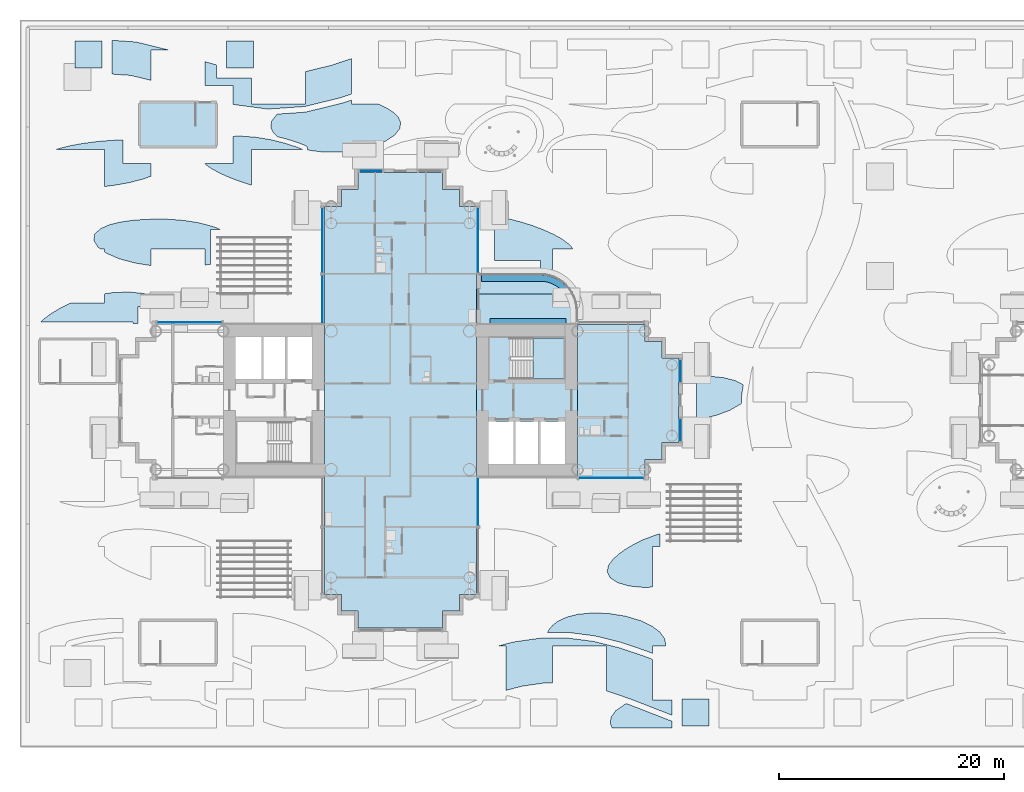
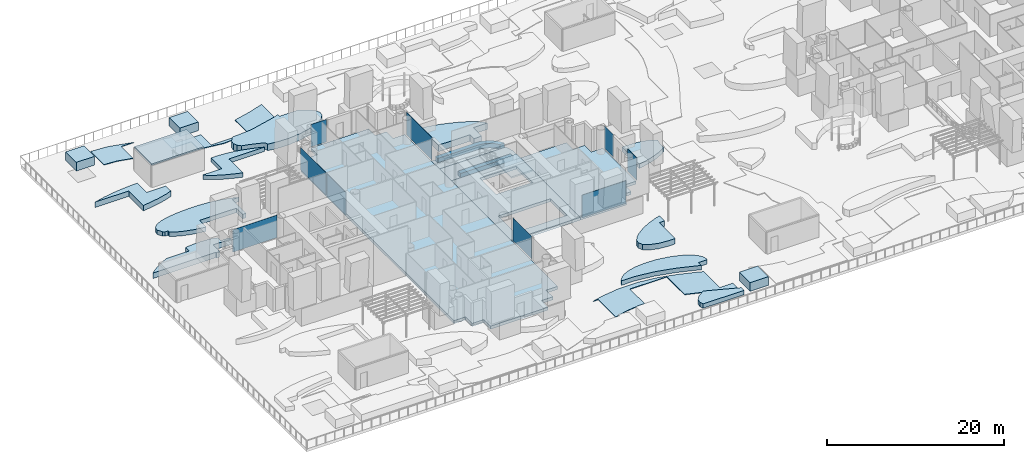
# One storey, part 18 of 40: 25 slabs, 9 plates, 10 elements without a shape of their own.
"""IFC4 building model written with IfcOpenShell, lengths in metres."""

from ifc_helpers import new_model, si_unit, direction, frame, origin, origin_2d, place, context, subcontext, project, spatial, polyline, rectangle, outline, extrude, material, layer, layer_set, type_object, element, aggregate, save


model = new_model("IFC4")

# Units and contexts
model_context = context("Model", 3, precision=1e-05, world=origin(), true_north=direction((0.0, 1.0)))
body_context = subcontext(model_context, "Body", "Model", "MODEL_VIEW")
ifc_project = project(units=[si_unit("LENGTHUNIT", "METRE"), si_unit("AREAUNIT", "SQUARE_METRE"), si_unit("VOLUMEUNIT", "CUBIC_METRE"), si_unit("PLANEANGLEUNIT", "RADIAN"), si_unit("MASSUNIT", "GRAM", prefix="KILO")], contexts=[model_context])

# Site, building, storey
site_placement = place(None, origin())
site = spatial("IfcSite", under=ifc_project, at=site_placement, CompositionType="ELEMENT")
building_placement = place(site_placement, origin())
building = spatial("IfcBuilding", under=site, at=building_placement, Name="Ipe Terrace Towers", CompositionType="ELEMENT")
storey_placement = place(building_placement, frame((0.0, 0.0, 24.5)))
storey = spatial("IfcBuildingStorey", under=building, at=storey_placement, Name="L05", CompositionType="ELEMENT", Elevation=24.5)

# Slabs
ifc_material_1 = material(Name="Concrete C30/37", Category="concrete")
ifc_layer_1 = layer(ifc_material_1, 0.199951171875)
ifc_layer_set_1 = layer_set([ifc_layer_1], Name="BALCONY SLAB 200")
slab_type_1 = type_object("IfcSlabType", Name="BALCONY SLAB 200", PredefinedType="FLOOR", material=ifc_layer_set_1)
slab_1_placement = place(storey_placement, frame((0.0, 0.0, -0.219970703125)))
element("IfcSlab", 1, at=slab_1_placement, inside=storey, type_object=slab_type_1, Name="balcony slab", PredefinedType="FLOOR", context=body_context, shape_type="SweptSolid", body=[
    extrude(outline(polyline([(-20.5009765625, 9.212890625), (-20.617919921875, 9.449951171875), (-29.25, 9.449951171875), (-29.25, 6.75), (-20.25, 6.75), (-20.25, 7.949951171875), (-20.278076171875, 8.381103515625), (-20.362060546875, 8.803955078125), (-20.5009765625, 9.212890625)])), origin(), (0.0, 0.0, 1.0), 0.199951171875),
])
slab_2_placement = place(storey_placement, frame((0.0, 0.0, -0.219970703125)))
element("IfcSlab", 2, at=slab_2_placement, inside=storey, type_object=slab_type_1, Name="balcony slab", PredefinedType="FLOOR", context=body_context, shape_type="SweptSolid", body=[
    extrude(outline(polyline([(-29.25, 11.25), (-29.25, 9.449951171875), (-20.617919921875, 9.449951171875), (-20.69189453125, 9.60009765625), (-20.931884765625, 9.958984375), (-21.217041015625, 10.282958984375), (-21.541015625, 10.568115234375), (-21.89990234375, 10.80810546875), (-22.287109375, 10.9990234375), (-22.696044921875, 11.137939453125), (-23.118896484375, 11.221923828125), (-23.550048828125, 11.25), (-29.25, 11.25)])), origin(), (0.0, 0.0, 1.0), 0.199951171875),
])
ifc_material_2 = material(Name="Concrete C30/37", Category="concrete")
ifc_layer_2 = layer(ifc_material_2, 0.39990234375)
ifc_layer_set_2 = layer_set([ifc_layer_2], Name="CORE FLOOR SLAB 400 C30-37")
slab_type_2 = type_object("IfcSlabType", Name="CORE FLOOR SLAB 400 C30-37", PredefinedType="FLOOR", material=ifc_layer_set_2)
slab_3_placement = place(storey_placement, frame((0.0, 0.0, -0.39990234375)))
element("IfcSlab", 3, at=slab_3_placement, inside=storey, type_object=slab_type_2, Name="Core floor T1-C1", PredefinedType="FLOOR", context=body_context, shape_type="SweptSolid", body=[
    extrude(outline(polyline([(-29.25, -6.75), (-29.25, 6.75), (-20.25, 6.75), (-20.25, -6.75), (-29.25, -6.75)]), holes=[polyline([(-28.14990234375, -5.64990234375), (-21.35009765625, -5.64990234375), (-21.35009765625, -1.89990234375), (-28.14990234375, -1.89990234375), (-28.14990234375, -5.64990234375)]), polyline([(-26.199951171875, 5.550048828125), (-26.199951171875, 1.89990234375), (-21.449951171875, 1.89990234375), (-21.449951171875, 5.550048828125), (-26.199951171875, 5.550048828125)])]), origin(), (0.0, 0.0, 1.0), 0.39990234375),
])
ifc_material_3 = material(Name="Concrete C30/37", Category="concrete")
ifc_layer_3 = layer(ifc_material_3, 0.60009765625)
ifc_layer_set_3 = layer_set([ifc_layer_3], Name="CURVED GARDEN BED 600")
slab_type_3 = type_object("IfcSlabType", Name="CURVED GARDEN BED 600", PredefinedType="USERDEFINED", material=ifc_layer_set_3)
slab_4_placement = place(storey_placement, frame((0.0, 0.0, -0.02001953125)))
element("IfcSlab", 4, at=slab_4_placement, inside=storey, type_object=slab_type_3, Name="curved garden bed", ObjectType="PLANTER", PredefinedType="USERDEFINED", context=body_context, shape_type="SweptSolid", body=[
    extrude(outline(polyline([(-16.85302734375, -27.60009765625), (-16.06201171875, -27.04296875), (-15.887939453125, -26.968017578125), (-15.803955078125, -26.99609375), (-13.739013671875, -27.797119140625), (-12.031982421875, -28.4619140625), (-11.986083984375, -28.47802734375), (-11.93798828125, -28.489013671875), (-11.889892578125, -28.4951171875), (-11.85009765625, -28.49609375), (-11.85009765625, -29.14990234375), (-17.169921875, -29.14990234375), (-17.337890625, -28.695068359375), (-17.262939453125, -28.1669921875), (-16.85302734375, -27.60009765625)])), origin(), (0.0, 0.0, 1.0), 0.60009765625),
])
slab_5_placement = place(storey_placement, frame((0.0, 0.0, -0.02001953125)))
element("IfcSlab", 5, at=slab_5_placement, inside=storey, type_object=slab_type_3, Name="curved garden bed", ObjectType="PLANTER", PredefinedType="USERDEFINED", context=body_context, shape_type="SweptSolid", body=[
    extrude(outline(polyline([(-22.47802734375, -20.012939453125), (-21.968017578125, -19.6220703125), (-21.217041015625, -19.27587890625), (-20.18701171875, -19.01904296875), (-18.89501953125, -18.89892578125), (-17.43701171875, -18.9541015625), (-15.9619140625, -19.193115234375), (-14.635009765625, -19.589111328125), (-13.5869140625, -20.093017578125), (-12.883056640625, -20.64208984375), (-12.510986328125, -21.18310546875), (-12.403076171875, -21.68701171875), (-12.427978515625, -21.8359375), (-13.570068359375, -21.8359375), (-13.570068359375, -22.5), (-14.0458984375, -22.31494140625), (-14.055908203125, -22.31103515625), (-14.136962890625, -22.281982421875), (-14.14794921875, -22.278076171875), (-16.263916015625, -21.56103515625), (-16.283935546875, -21.554931640625), (-16.443115234375, -21.508056640625), (-16.462890625, -21.5029296875), (-18.580078125, -20.97607421875), (-18.60791015625, -20.969970703125), (-18.8359375, -20.927001953125), (-18.864013671875, -20.922119140625), (-20.98095703125, -20.64990234375), (-21.013916015625, -20.64697265625), (-21.283935546875, -20.631103515625), (-21.318115234375, -20.6298828125), (-22.91796875, -20.64111328125), (-22.81298828125, -20.424072265625), (-22.47802734375, -20.012939453125)])), origin(), (0.0, 0.0, 1.0), 0.60009765625),
])
slab_6_placement = place(storey_placement, frame((0.0, 0.0, -0.02001953125)))
element("IfcSlab", 6, at=slab_6_placement, inside=storey, type_object=slab_type_3, Name="curved garden bed", ObjectType="PLANTER", PredefinedType="USERDEFINED", context=body_context, shape_type="SweptSolid", body=[
    extrude(outline(polyline([(-7.22705078125, 2.013916015625), (-6.18994140625, 1.7490234375), (-5.498046875, 1.3759765625), (-5.6259765625, 0.616943359375), (-5.62890625, 0.595947265625), (-5.64697265625, 0.455078125), (-5.65087890625, 0.4130859375), (-5.656005859375, 0.27099609375), (-5.656982421875, 0.25), (-5.656982421875, -0.23193359375), (-5.781982421875, -0.361083984375), (-6.708984375, -0.888916015625), (-7.85498046875, -1.31591796875), (-9.0849609375, -1.635009765625), (-9.64990234375, -1.738037109375), (-9.64990234375, 2.1650390625), (-9.623046875, 2.166015625), (-8.407958984375, 2.14306640625), (-7.22705078125, 2.013916015625)])), origin(), (0.0, 0.0, 1.0), 0.60009765625),
])
slab_7_placement = place(storey_placement, frame((0.0, 0.0, -0.02001953125)))
element("IfcSlab", 7, at=slab_7_placement, inside=storey, type_object=slab_type_3, Name="curved garden bed", ObjectType="PLANTER", PredefinedType="USERDEFINED", context=body_context, shape_type="SweptSolid", body=[
    extrude(outline(polyline([(-63.175048828125, 14.7890625), (-62.676025390625, 15.260009765625), (-61.881103515625, 15.614013671875), (-60.9150390625, 15.85400390625), (-59.8740234375, 16.00390625), (-58.802001953125, 16.089111328125), (-57.68603515625, 16.125), (-56.491943359375, 16.10302734375), (-55.201904296875, 15.9970703125), (-53.85205078125, 15.777099609375), (-52.5400390625, 15.423095703125), (-52.01611328125, 15.199951171875), (-52.89990234375, 15.199951171875), (-52.89990234375, 12.10107421875), (-53.3701171875, 12.032958984375), (-53.3701171875, 13.47900390625), (-58.169921875, 13.47900390625), (-58.169921875, 11.991943359375), (-58.298095703125, 12.0029296875), (-59.64794921875, 12.222900390625), (-60.9599609375, 12.576904296875), (-62.092041015625, 13.05810546875), (-62.2900390625, 13.198974609375), (-62.2900390625, 13.47900390625), (-62.68408203125, 13.47900390625), (-62.89501953125, 13.62890625), (-63.26611328125, 14.22705078125), (-63.175048828125, 14.7890625)])), origin(), (0.0, 0.0, 1.0), 0.60009765625),
])
slab_8_placement = place(storey_placement, frame((0.0, 0.0, -0.02001953125)))
element("IfcSlab", 8, at=slab_8_placement, inside=storey, type_object=slab_type_3, Name="curved garden bed", ObjectType="PLANTER", PredefinedType="USERDEFINED", context=body_context, shape_type="SweptSolid", body=[
    extrude(outline(polyline([(-47.48388671875, 23.169921875), (-46.299072265625, 22.873046875), (-45.242919921875, 22.537109375), (-44.635009765625, 22.306884765625), (-49.25, 22.306884765625), (-49.25, 19.14208984375), (-50.257080078125, 19.462890625), (-51.219970703125, 19.826904296875), (-52.118896484375, 20.22998046875), (-52.93701171875, 20.68603515625), (-53.3701171875, 21.02392578125), (-53.3701171875, 21.050048828125), (-50.8701171875, 21.050048828125), (-50.8701171875, 23.47998046875), (-50.208984375, 23.50390625), (-48.804931640625, 23.39501953125), (-47.48388671875, 23.169921875)])), origin(), (0.0, 0.0, 1.0), 0.60009765625),
])
ifc_material_4 = material(Name="Concrete C30/37", Category="concrete")
ifc_layer_4 = layer(ifc_material_4, 0.75)
ifc_layer_set_4 = layer_set([ifc_layer_4], Name="CURVED GARDEN BED 750")
slab_type_4 = type_object("IfcSlabType", Name="CURVED GARDEN BED 750", PredefinedType="USERDEFINED", material=ifc_layer_set_4)
slab_9_placement = place(storey_placement, frame((0.0, 0.0, -0.02001953125)))
element("IfcSlab", 9, at=slab_9_placement, inside=storey, type_object=slab_type_4, Name="curved garden bed", ObjectType="PLANTER", PredefinedType="USERDEFINED", context=body_context, shape_type="SweptSolid", body=[
    extrude(outline(polyline([(-16.700927734375, -16.2041015625), (-17.35693359375, -15.762939453125), (-17.60693359375, -15.2451171875), (-17.506103515625, -14.70703125), (-17.14794921875, -14.18798828125), (-16.6279296875, -13.705078125), (-16.001953125, -13.25), (-15.27001953125, -12.81005859375), (-14.389892578125, -12.381103515625), (-13.31689453125, -11.97802734375), (-12.89990234375, -11.867919921875), (-12.89990234375, -13.007080078125), (-13.570068359375, -13.007080078125), (-13.570068359375, -16.60693359375), (-14.340087890625, -16.637939453125), (-15.662109375, -16.509033203125), (-16.700927734375, -16.2041015625)])), origin(), (0.0, 0.0, 1.0), 0.75),
])
slab_10_placement = place(storey_placement, frame((0.0, 0.0, -0.02001953125)))
element("IfcSlab", 10, at=slab_10_placement, inside=storey, type_object=slab_type_4, Name="curved garden bed", ObjectType="PLANTER", PredefinedType="USERDEFINED", context=body_context, shape_type="SweptSolid", body=[
    extrude(outline(polyline([(-59.35009765625, 6.85009765625), (-59.7900390625, 6.85009765625), (-59.7900390625, 6.949951171875), (-67.9990234375, 6.949951171875), (-67.6279296875, 7.294921875), (-67.001953125, 7.75), (-66.27001953125, 8.18994140625), (-65.389892578125, 8.618896484375), (-65.23193359375, 8.677978515625), (-62.2900390625, 8.677978515625), (-62.2900390625, 9.47509765625), (-61.614013671875, 9.580078125), (-60.159912109375, 9.637939453125), (-58.837890625, 9.509033203125), (-58.169921875, 9.31298828125), (-58.169921875, 8.677978515625), (-57.10205078125, 8.677978515625), (-56.944091796875, 8.35009765625), (-59.35009765625, 8.35009765625), (-59.35009765625, 6.85009765625)])), origin(), (0.0, 0.0, 1.0), 0.75),
])
slab_11_placement = place(storey_placement, frame((0.0, 0.0, -0.02001953125)))
element("IfcSlab", 11, at=slab_11_placement, inside=storey, type_object=slab_type_4, Name="curved garden bed", ObjectType="PLANTER", PredefinedType="USERDEFINED", context=body_context, shape_type="SweptSolid", body=[
    extrude(outline(polyline([(-64.18994140625, 22.85791015625), (-62.9970703125, 23.011962890625), (-61.819091796875, 23.114990234375), (-60.669921875, 23.1640625), (-60.669921875, 21.050048828125), (-58.169921875, 21.050048828125), (-58.169921875, 19.93896484375), (-58.85498046875, 19.68408203125), (-60.0849609375, 19.364990234375), (-61.31005859375, 19.14208984375), (-62.2900390625, 19.01611328125), (-62.2900390625, 22.306884765625), (-66.669921875, 22.306884765625), (-66.64501953125, 22.31591796875), (-65.4150390625, 22.635009765625), (-64.18994140625, 22.85791015625)])), origin(), (0.0, 0.0, 1.0), 0.75),
])
ifc_material_5 = material(Name="Concrete C30/37", Category="concrete")
ifc_layer_5 = layer(ifc_material_5, 0.89990234375)
ifc_layer_set_5 = layer_set([ifc_layer_5], Name="CURVED GARDEN BED 900")
slab_type_5 = type_object("IfcSlabType", Name="CURVED GARDEN BED 900", PredefinedType="USERDEFINED", material=ifc_layer_set_5)
slab_12_placement = place(storey_placement, frame((0.0, 0.0, -0.02001953125)))
element("IfcSlab", 12, at=slab_12_placement, inside=storey, type_object=slab_type_5, Name="curved garden bed", ObjectType="PLANTER", PredefinedType="USERDEFINED", context=body_context, shape_type="SweptSolid", body=[
    extrude(outline(polyline([(-24.242919921875, 15.537109375), (-23.280029296875, 15.173095703125), (-22.381103515625, 14.77001953125), (-21.56298828125, 14.31396484375), (-20.89892578125, 13.7958984375), (-20.674072265625, 13.47900390625), (-22.489990234375, 13.47900390625), (-22.489990234375, 11.6279296875), (-22.922119140625, 11.544921875), (-23.550048828125, 11.52294921875), (-23.550048828125, 12.449951171875), (-27.64990234375, 12.449951171875), (-27.64990234375, 16.368896484375), (-26.48388671875, 16.169921875), (-25.299072265625, 15.873046875), (-24.242919921875, 15.537109375)])), origin(), (0.0, 0.0, 1.0), 0.89990234375),
])
slab_13_placement = place(storey_placement, frame((0.0, 0.0, -0.02001953125)))
element("IfcSlab", 13, at=slab_13_placement, inside=storey, type_object=slab_type_5, Name="curved garden bed", ObjectType="PLANTER", PredefinedType="USERDEFINED", context=body_context, shape_type="SweptSolid", body=[
    extrude(outline(polyline([(-36.594970703125, 25.595947265625), (-36.18310546875, 25.18310546875), (-35.969970703125, 24.701904296875), (-36.053955078125, 24.156005859375), (-36.514892578125, 23.576904296875), (-37.375, 23.02099609375), (-38.574951171875, 22.552978515625), (-39.988037109375, 22.22607421875), (-41.450927734375, 22.068115234375), (-42.818115234375, 22.075927734375), (-43.992919921875, 22.216064453125), (-44.237060546875, 22.27490234375), (-44.235107421875, 22.31396484375), (-44.238037109375, 22.35400390625), (-44.2451171875, 22.39306640625), (-44.2548828125, 22.430908203125), (-44.26904296875, 22.468017578125), (-44.287109375, 22.50390625), (-44.30810546875, 22.537109375), (-44.3330078125, 22.569091796875), (-44.360107421875, 22.596923828125), (-44.389892578125, 22.623046875), (-44.423095703125, 22.64599609375), (-44.45703125, 22.6650390625), (-44.493896484375, 22.680908203125), (-45.10205078125, 22.910888671875), (-45.1220703125, 22.91796875), (-46.177001953125, 23.25390625), (-46.200927734375, 23.260986328125), (-46.948974609375, 23.447998046875), (-47.31689453125, 23.81689453125), (-47.530029296875, 24.298095703125), (-47.446044921875, 24.843994140625), (-46.985107421875, 25.423095703125), (-46.927001953125, 25.4599609375), (-44.613037109375, 25.618896484375), (-44.592041015625, 25.62109375), (-44.464111328125, 25.635009765625), (-44.4208984375, 25.64208984375), (-44.294921875, 25.6669921875), (-44.27392578125, 25.672119140625), (-41.27392578125, 26.406982421875), (-41.256103515625, 26.412109375), (-41.14501953125, 26.443115234375), (-41.126953125, 26.448974609375), (-40.330078125, 26.7099609375), (-40.330078125, 26.3359375), (-37.951904296875, 26.3359375), (-37.77392578125, 26.27001953125), (-37.132080078125, 25.951904296875), (-36.594970703125, 25.595947265625)])), origin(), (0.0, 0.0, 1.0), 0.89990234375),
])

# Stair, slab
ifc_material_6 = material(Name="Concrete C30/37", Category="concrete")
stair_type = type_object("IfcStairType", Name="Protected exit stair", PredefinedType="HALF_TURN_STAIR", material=ifc_material_6)
stair_placement = place(storey_placement, origin())
stair = element("IfcStair", 14, at=stair_placement, inside=storey, type_object=stair_type, Name="L05 Exit stair T1-C1", PredefinedType="HALF_TURN_STAIR")
ifc_material_7 = material(Name="Concrete C30/37", Category="concrete")
ifc_layer_6 = layer(ifc_material_7, 0.199951171875)
ifc_layer_set_6 = layer_set([ifc_layer_6], Name="Exit stair landing 200")
slab_type_6 = type_object("IfcSlabType", Name="Exit stair landing 200", PredefinedType="LANDING", material=ifc_layer_set_6)
slab_14_placement = place(storey_placement, frame((0.0, 0.0, 1.5)))
slab_14 = element("IfcSlab", 15, at=slab_14_placement, type_object=slab_type_6, Name="T1-ST1 landing 1", PredefinedType="LANDING", context=body_context, shape_type="SweptSolid", body=[
    extrude(outline(polyline([(-24.219970703125, 1.89990234375), (-21.449951171875, 1.89990234375), (-21.449951171875, 5.550048828125), (-24.219970703125, 5.550048828125), (-24.219970703125, 1.89990234375)])), origin(), (0.0, 0.0, 1.0), 0.199951171875),
])
aggregate(stair, [slab_14])

# Slabs
ifc_material_8 = material(Name="Concrete C40/50", Category="concrete")
ifc_layer_7 = layer(ifc_material_8, 0.39990234375)
ifc_layer_set_7 = layer_set([ifc_layer_7], Name="FLAT PLATE SLAB 400 C40-50")
slab_type_7 = type_object("IfcSlabType", Name="FLAT PLATE SLAB 400 C40-50", PredefinedType="FLOOR", material=ifc_layer_set_7)
slab_15_placement = place(storey_placement, frame((0.0, 0.0, -0.39990234375)))
element("IfcSlab", 16, at=slab_15_placement, inside=storey, type_object=slab_type_7, Name="Slab T1-FS-Z11", PredefinedType="FLOOR", context=body_context, shape_type="SweptSolid", body=[
    extrude(outline(polyline([(-30.75, -17.25), (-30.75, -18.75), (-32.25, -18.75), (-32.25, -20.25), (-39.75, -20.25), (-39.75, -18.75), (-41.25, -18.75), (-41.25, -17.25), (-42.75, -17.25), (-42.75, -6.75), (-42.75, 6.75), (-42.75, 17.25), (-41.25, 17.25), (-41.25, 18.75), (-39.75, 18.75), (-39.75, 20.25), (-32.25, 20.25), (-32.25, 18.75), (-30.75, 18.75), (-30.75, 17.25), (-29.25, 17.25), (-29.25, 6.75), (-29.25, -6.75), (-29.25, -17.25), (-30.75, -17.25)])), origin(), (0.0, 0.0, 1.0), 0.39990234375),
])
slab_16_placement = place(storey_placement, frame((0.0, 0.0, -0.39990234375)))
element("IfcSlab", 17, at=slab_16_placement, inside=storey, type_object=slab_type_7, Name="Slab T1-FS-Z13", PredefinedType="FLOOR", context=body_context, shape_type="SweptSolid", body=[
    extrude(outline(polyline([(-14.25, 5.25), (-12.75, 5.25), (-12.75, 3.75), (-11.25, 3.75), (-11.25, -3.75), (-12.75, -3.75), (-12.75, -5.25), (-14.25, -5.25), (-14.25, -6.75), (-20.25, -6.75), (-20.25, 6.75), (-14.25, 6.75), (-14.25, 5.25)])), origin(), (0.0, 0.0, 1.0), 0.39990234375),
])
ifc_material_9 = material(Name="Concrete C30/37 paving", Category="concrete")
ifc_layer_8 = layer(ifc_material_9, 0.080078125)
ifc_layer_set_8 = layer_set([ifc_layer_8], Name="GARDEN PAVING 80")
slab_type_8 = type_object("IfcSlabType", Name="GARDEN PAVING 80", PredefinedType="USERDEFINED", material=ifc_layer_set_8)
slab_17_placement = place(storey_placement, frame((0.0, 0.0, -0.02001953125)))
element("IfcSlab", 18, at=slab_17_placement, inside=storey, type_object=slab_type_8, Name="garden paving path", ObjectType="PAVING", PredefinedType="USERDEFINED", context=body_context, shape_type="SweptSolid", body=[
    extrude(outline(polyline([(-26.035888671875, -21.509033203125), (-25.81494140625, -21.465087890625), (-23.697998046875, -21.1640625), (-23.430908203125, -21.14501953125), (-21.31396484375, -21.1298828125), (-21.044921875, -21.14599609375), (-18.927978515625, -21.41796875), (-18.699951171875, -21.4609375), (-16.583984375, -21.988037109375), (-16.425048828125, -22.034912109375), (-14.30810546875, -22.751953125), (-14.22705078125, -22.781005859375), (-13.570068359375, -23.035888671875), (-13.570068359375, -26.635986328125), (-11.85009765625, -26.635986328125), (-11.85009765625, -27.9970703125), (-13.55810546875, -27.3310546875), (-15.633056640625, -26.52587890625), (-17.6298828125, -25.85009765625), (-17.68994140625, -25.8349609375), (-17.68994140625, -21.8359375), (-22.489990234375, -21.8359375), (-22.489990234375, -25.137939453125), (-23.26806640625, -25.14404296875), (-25.139892578125, -25.408935546875), (-26.610107421875, -25.791015625), (-26.610107421875, -21.8359375), (-27.2919921875, -21.8359375), (-26.035888671875, -21.509033203125)])), origin(), (0.0, 0.0, 1.0), 0.080078125),
])
slab_18_placement = place(storey_placement, frame((0.0, 0.0, -0.02001953125)))
element("IfcSlab", 19, at=slab_18_placement, inside=storey, type_object=slab_type_8, Name="garden paving path", ObjectType="PAVING", PredefinedType="USERDEFINED", context=body_context, shape_type="SweptSolid", body=[
    extrude(outline(polyline([(-41.282958984375, 26.924072265625), (-41.39306640625, 26.89208984375), (-44.39306640625, 26.156982421875), (-44.51904296875, 26.132080078125), (-44.64697265625, 26.117919921875), (-47.64697265625, 25.912109375), (-47.799072265625, 25.909912109375), (-47.948974609375, 25.922119140625), (-50.8701171875, 26.31396484375), (-50.8701171875, 28.0), (-53.3701171875, 28.0), (-53.3701171875, 30.12109375), (-53.31005859375, 30.10205078125), (-52.35009765625, 29.827880859375), (-52.35009765625, 28.64990234375), (-49.25, 28.64990234375), (-49.25, 26.3359375), (-44.449951171875, 26.3359375), (-44.449951171875, 29.23193359375), (-42.1630859375, 29.7919921875), (-40.330078125, 30.39306640625), (-40.330078125, 27.236083984375), (-41.282958984375, 26.924072265625)])), origin(), (0.0, 0.0, 1.0), 0.080078125),
])
slab_19_placement = place(storey_placement, frame((0.0, 0.0, -0.02001953125)))
element("IfcSlab", 20, at=slab_19_placement, inside=storey, type_object=slab_type_8, Name="garden paving path", ObjectType="PAVING", PredefinedType="USERDEFINED", context=body_context, shape_type="SweptSolid", body=[
    extrude(outline(polyline([(-59.98095703125, 28.89794921875), (-61.64990234375, 29.011962890625), (-61.64990234375, 32.01904296875), (-59.64697265625, 31.882080078125), (-59.51904296875, 31.867919921875), (-59.39306640625, 31.843017578125), (-56.507080078125, 31.135986328125), (-58.169921875, 31.135986328125), (-58.169921875, 28.4541015625), (-59.98095703125, 28.89794921875)])), origin(), (0.0, 0.0, 1.0), 0.080078125),
])
ifc_material_10 = material(Name="Concrete C30/37", Category="concrete")
ifc_layer_9 = layer(ifc_material_10, 0.60009765625)
ifc_layer_set_9 = layer_set([ifc_layer_9], Name="PLANTER TROUGH 550 x 600")
slab_type_9 = type_object("IfcSlabType", Name="PLANTER TROUGH 550 x 600", PredefinedType="USERDEFINED", material=ifc_layer_set_9)
slab_20_placement = place(storey_placement, frame((0.0, 0.0, -0.02001953125)))
element("IfcSlab", 21, at=slab_20_placement, inside=storey, type_object=slab_type_9, Name="planter", ObjectType="PLANTER", PredefinedType="USERDEFINED", context=body_context, shape_type="SweptSolid", body=[
    extrude(outline(polyline([(-21.45703125, 9.555908203125), (-21.385986328125, 9.449951171875), (-20.740966796875, 9.449951171875), (-20.780029296875, 9.529052734375), (-20.798095703125, 9.56005859375), (-21.009033203125, 9.876953125), (-21.031005859375, 9.905029296875), (-21.282958984375, 10.19189453125), (-21.30810546875, 10.217041015625), (-21.594970703125, 10.468994140625), (-21.623046875, 10.490966796875), (-21.93994140625, 10.701904296875), (-21.970947265625, 10.719970703125), (-22.31298828125, 10.888916015625), (-22.345947265625, 10.903076171875), (-22.70703125, 11.02490234375), (-22.741943359375, 11.034912109375), (-23.115966796875, 11.10888671875), (-23.152099609375, 11.114013671875), (-23.544921875, 11.138916015625), (-23.56298828125, 11.139892578125), (-28.800048828125, 11.139892578125), (-28.800048828125, 10.590087890625), (-23.572021484375, 10.590087890625), (-23.2060546875, 10.56591796875), (-22.866943359375, 10.4990234375), (-22.5400390625, 10.387939453125), (-22.23095703125, 10.235107421875), (-21.944091796875, 10.04296875), (-21.68408203125, 9.81591796875), (-21.45703125, 9.555908203125)])), origin(), (0.0, 0.0, 1.0), 0.60009765625),
])
slab_21_placement = place(storey_placement, frame((0.0, 0.0, -0.02001953125)))
element("IfcSlab", 22, at=slab_21_placement, inside=storey, type_object=slab_type_9, Name="planter", ObjectType="PLANTER", PredefinedType="USERDEFINED", context=body_context, shape_type="SweptSolid", body=[
    extrude(outline(polyline([(-28.050048828125, 6.75), (-21.25, 6.75), (-21.25, 7.300048828125), (-28.050048828125, 7.300048828125), (-28.050048828125, 6.75)])), origin(), (0.0, 0.0, 1.0), 0.60009765625),
])
ifc_material_11 = material(Name="Concrete C30/37", Category="concrete")
ifc_layer_10 = layer(ifc_material_11, 0.199951171875)
ifc_layer_set_10 = layer_set([ifc_layer_10], Name="STAIR HEAD ROOF SLAB 200 C30-37")
slab_type_10 = type_object("IfcSlabType", Name="STAIR HEAD ROOF SLAB 200 C30-37", PredefinedType="ROOF", material=ifc_layer_set_10)
slab_22_placement = place(storey_placement, frame((0.0, 0.0, 3.0)))
element("IfcSlab", 23, at=slab_22_placement, inside=storey, type_object=slab_type_10, Name="Stair head roof PS1", PredefinedType="ROOF", context=body_context, shape_type="SweptSolid", body=[
    extrude(outline(polyline([(-59.169921875, 22.550048828125), (-52.3701171875, 22.550048828125), (-52.3701171875, 26.5), (-59.169921875, 26.5), (-59.169921875, 22.550048828125)])), origin(), (0.0, 0.0, 1.0), 0.199951171875),
])

# Curtain wall, plate
ifc_material_12 = material(Name="Aluminium alloy 6063-T6", Category="aluminium")
ifc_layer_11 = layer(ifc_material_12, 0.320068359375)
ifc_layer_set_11 = layer_set([ifc_layer_11], Name="TOWER UNITISED CURTAIN WALL")
curtain_wall_type = type_object("IfcCurtainWallType", Name="TOWER UNITISED CURTAIN WALL", PredefinedType="NOTDEFINED", material=ifc_layer_set_11)
curtain_wall_1_placement = place(storey_placement, origin())
curtain_wall_1 = element("IfcCurtainWall", 24, at=curtain_wall_1_placement, inside=storey, type_object=curtain_wall_type, Name="T1-CW-L05-18a curtain wall", PredefinedType="NOTDEFINED")
ifc_material_13 = material(Name="Glass, clear laminated", Category="glass")
ifc_layer_12 = layer(ifc_material_13, 0.031982421875)
ifc_layer_set_12 = layer_set([ifc_layer_12], Name="TOWER UNITISED GLASS PANEL 32")
plate_type = type_object("IfcPlateType", Name="TOWER UNITISED GLASS PANEL 32", PredefinedType="CURTAIN_PANEL", material=ifc_layer_set_12)
plate_1_placement = place(storey_placement, frame((-29.090087890625, -9.0, 0.0), z_axis=(0.0, 0.0, 1.0), x_axis=(0.0, 1.0, 0.0)))
plate_1 = element("IfcPlate", 25, at=plate_1_placement, type_object=plate_type, Name="T1-CW-L05-18a panel 1", PredefinedType="CURTAIN_PANEL", context=body_context, shape_type="SweptSolid", body=[
    extrude(rectangle(XDim=4.260009765625, YDim=0.031982421875, at=origin_2d()), origin(), (0.0, 0.0, 1.0), 3.10009765625),
])
aggregate(curtain_wall_1, [plate_1])

curtain_wall_2_placement = place(storey_placement, origin())
curtain_wall_2 = element("IfcCurtainWall", 26, at=curtain_wall_2_placement, inside=storey, type_object=curtain_wall_type, Name="T1-CW-L05-20b curtain wall", PredefinedType="NOTDEFINED")
plate_2_placement = place(storey_placement, frame((-17.24951171875, -6.909912109375, 0.0), z_axis=(0.0, 0.0, 1.0), x_axis=(1.0, 0.0, 0.0)))
plate_2 = element("IfcPlate", 27, at=plate_2_placement, type_object=plate_type, Name="T1-CW-L05-20b panel 1", PredefinedType="CURTAIN_PANEL", context=body_context, shape_type="SweptSolid", body=[
    extrude(rectangle(XDim=5.759033203125, YDim=0.031982421875, at=origin_2d()), origin(), (0.0, 0.0, 1.0), 3.10009765625),
])
aggregate(curtain_wall_2, [plate_2])

curtain_wall_3_placement = place(storey_placement, origin())
curtain_wall_3 = element("IfcCurtainWall", 28, at=curtain_wall_3_placement, inside=storey, type_object=curtain_wall_type, Name="T1-CW-L05-25a curtain wall", PredefinedType="NOTDEFINED")
plate_3_placement = place(storey_placement, frame((-11.090087890625, -2.625, 0.0), z_axis=(0.0, 0.0, 1.0), x_axis=(0.0, 1.0, 0.0)))
plate_3 = element("IfcPlate", 29, at=plate_3_placement, type_object=plate_type, Name="T1-CW-L05-25a panel 1", PredefinedType="CURTAIN_PANEL", context=body_context, shape_type="SweptSolid", body=[
    extrude(rectangle(XDim=2.010009765625, YDim=0.031982421875, at=origin_2d()), origin(), (0.0, 0.0, 1.0), 3.10009765625),
])
aggregate(curtain_wall_3, [plate_3])

curtain_wall_4_placement = place(storey_placement, origin())
curtain_wall_4 = element("IfcCurtainWall", 30, at=curtain_wall_4_placement, inside=storey, type_object=curtain_wall_type, Name="T1-CW-L05-25c curtain wall", PredefinedType="NOTDEFINED")
plate_4_placement = place(storey_placement, frame((-11.090087890625, 2.625, 0.0), z_axis=(0.0, 0.0, 1.0), x_axis=(0.0, 1.0, 0.0)))
plate_4 = element("IfcPlate", 31, at=plate_4_placement, type_object=plate_type, Name="T1-CW-L05-25c panel 1", PredefinedType="CURTAIN_PANEL", context=body_context, shape_type="SweptSolid", body=[
    extrude(rectangle(XDim=2.010009765625, YDim=0.031982421875, at=origin_2d()), origin(), (0.0, 0.0, 1.0), 3.10009765625),
])
aggregate(curtain_wall_4, [plate_4])

curtain_wall_5_placement = place(storey_placement, origin())
curtain_wall_5 = element("IfcCurtainWall", 32, at=curtain_wall_5_placement, inside=storey, type_object=curtain_wall_type, Name="T1-CW-L05-33a curtain wall", PredefinedType="NOTDEFINED")
plate_5_placement = place(storey_placement, frame((-29.090087890625, 14.25, 0.0), z_axis=(0.0, 0.0, 1.0), x_axis=(0.0, 1.0, 0.0)))
plate_5 = element("IfcPlate", 33, at=plate_5_placement, type_object=plate_type, Name="T1-CW-L05-33a panel 1", PredefinedType="CURTAIN_PANEL", context=body_context, shape_type="SweptSolid", body=[
    extrude(rectangle(XDim=5.760009765625, YDim=0.031982421875, at=origin_2d()), origin(), (0.0, 0.0, 1.0), 3.10009765625),
])
aggregate(curtain_wall_5, [plate_5])

curtain_wall_6_placement = place(storey_placement, origin())
curtain_wall_6 = element("IfcCurtainWall", 34, at=curtain_wall_6_placement, inside=storey, type_object=curtain_wall_type, Name="T1-CW-L05-38c curtain wall", PredefinedType="NOTDEFINED")
plate_6_placement = place(storey_placement, frame((-38.625, 20.409912109375, 0.0), z_axis=(0.0, 0.0, 1.0), x_axis=(-1.0, 0.0, 0.0)))
plate_6 = element("IfcPlate", 35, at=plate_6_placement, type_object=plate_type, Name="T1-CW-L05-38c panel 1", PredefinedType="CURTAIN_PANEL", context=body_context, shape_type="SweptSolid", body=[
    extrude(rectangle(XDim=2.010009765625, YDim=0.031982421875, at=origin_2d()), origin(), (0.0, 0.0, 1.0), 3.10009765625),
])
aggregate(curtain_wall_6, [plate_6])

curtain_wall_7_placement = place(storey_placement, origin())
curtain_wall_7 = element("IfcCurtainWall", 36, at=curtain_wall_7_placement, inside=storey, type_object=curtain_wall_type, Name="T1-CW-L05-43a curtain wall", PredefinedType="NOTDEFINED")
plate_7_placement = place(storey_placement, frame((-42.909912109375, 14.25, 0.0), z_axis=(0.0, 0.0, 1.0), x_axis=(0.0, -1.0, 0.0)))
plate_7 = element("IfcPlate", 37, at=plate_7_placement, type_object=plate_type, Name="T1-CW-L05-43a panel 1", PredefinedType="CURTAIN_PANEL", context=body_context, shape_type="SweptSolid", body=[
    extrude(rectangle(XDim=5.760009765625, YDim=0.031982421875, at=origin_2d()), origin(), (0.0, 0.0, 1.0), 3.10009765625),
])
aggregate(curtain_wall_7, [plate_7])

curtain_wall_8_placement = place(storey_placement, origin())
curtain_wall_8 = element("IfcCurtainWall", 38, at=curtain_wall_8_placement, inside=storey, type_object=curtain_wall_type, Name="T1-CW-L05-44a curtain wall", PredefinedType="NOTDEFINED")
plate_8_placement = place(storey_placement, frame((-42.909912109375, 9.0, 0.0), z_axis=(0.0, 0.0, 1.0), x_axis=(0.0, -1.0, 0.0)))
plate_8 = element("IfcPlate", 39, at=plate_8_placement, type_object=plate_type, Name="T1-CW-L05-44a panel 1", PredefinedType="CURTAIN_PANEL", context=body_context, shape_type="SweptSolid", body=[
    extrude(rectangle(XDim=4.260009765625, YDim=0.031982421875, at=origin_2d()), origin(), (0.0, 0.0, 1.0), 3.10009765625),
])
aggregate(curtain_wall_8, [plate_8])

curtain_wall_9_placement = place(storey_placement, origin())
curtain_wall_9 = element("IfcCurtainWall", 40, at=curtain_wall_9_placement, inside=storey, type_object=curtain_wall_type, Name="T1-CW-L05-46b curtain wall", PredefinedType="NOTDEFINED")
plate_9_placement = place(storey_placement, frame((-54.75048828125, 6.909912109375, 0.0), z_axis=(0.0, 0.0, 1.0), x_axis=(-1.0, 0.0, 0.0)))
plate_9 = element("IfcPlate", 41, at=plate_9_placement, type_object=plate_type, Name="T1-CW-L05-46b panel 1", PredefinedType="CURTAIN_PANEL", context=body_context, shape_type="SweptSolid", body=[
    extrude(rectangle(XDim=5.759033203125, YDim=0.031982421875, at=origin_2d()), origin(), (0.0, 0.0, 1.0), 3.10009765625),
])
aggregate(curtain_wall_9, [plate_9])

# Slabs
ifc_material_14 = material(Name="Concrete C30/37", Category="concrete")
ifc_layer_13 = layer(ifc_material_14, 1.199951171875)
ifc_layer_set_13 = layer_set([ifc_layer_13], Name="TREE PIT PLANTER 2400 x 2400 x 1200")
slab_type_11 = type_object("IfcSlabType", Name="TREE PIT PLANTER 2400 x 2400 x 1200", PredefinedType="USERDEFINED", material=ifc_layer_set_13)
slab_23_placement = place(storey_placement, origin())
element("IfcSlab", 42, at=slab_23_placement, inside=storey, type_object=slab_type_11, Name="planter", ObjectType="PLANTER", PredefinedType="USERDEFINED", context=body_context, shape_type="SweptSolid", body=[
    extrude(outline(polyline([(-64.949951171875, 29.550048828125), (-62.550048828125, 29.550048828125), (-62.550048828125, 31.949951171875), (-64.949951171875, 31.949951171875), (-64.949951171875, 29.550048828125)])), origin(), (0.0, 0.0, 1.0), 1.199951171875),
])
slab_24_placement = place(storey_placement, origin())
element("IfcSlab", 43, at=slab_24_placement, inside=storey, type_object=slab_type_11, Name="planter", ObjectType="PLANTER", PredefinedType="USERDEFINED", context=body_context, shape_type="SweptSolid", body=[
    extrude(outline(polyline([(-51.449951171875, 29.550048828125), (-49.050048828125, 29.550048828125), (-49.050048828125, 31.949951171875), (-51.449951171875, 31.949951171875), (-51.449951171875, 29.550048828125)])), origin(), (0.0, 0.0, 1.0), 1.199951171875),
])
slab_25_placement = place(storey_placement, origin())
element("IfcSlab", 44, at=slab_25_placement, inside=storey, type_object=slab_type_11, Name="planter", ObjectType="PLANTER", PredefinedType="USERDEFINED", context=body_context, shape_type="SweptSolid", body=[
    extrude(outline(polyline([(-10.949951171875, -28.949951171875), (-8.550048828125, -28.949951171875), (-8.550048828125, -26.550048828125), (-10.949951171875, -26.550048828125), (-10.949951171875, -28.949951171875)])), origin(), (0.0, 0.0, 1.0), 1.199951171875),
])

save(model, "model.ifc")
